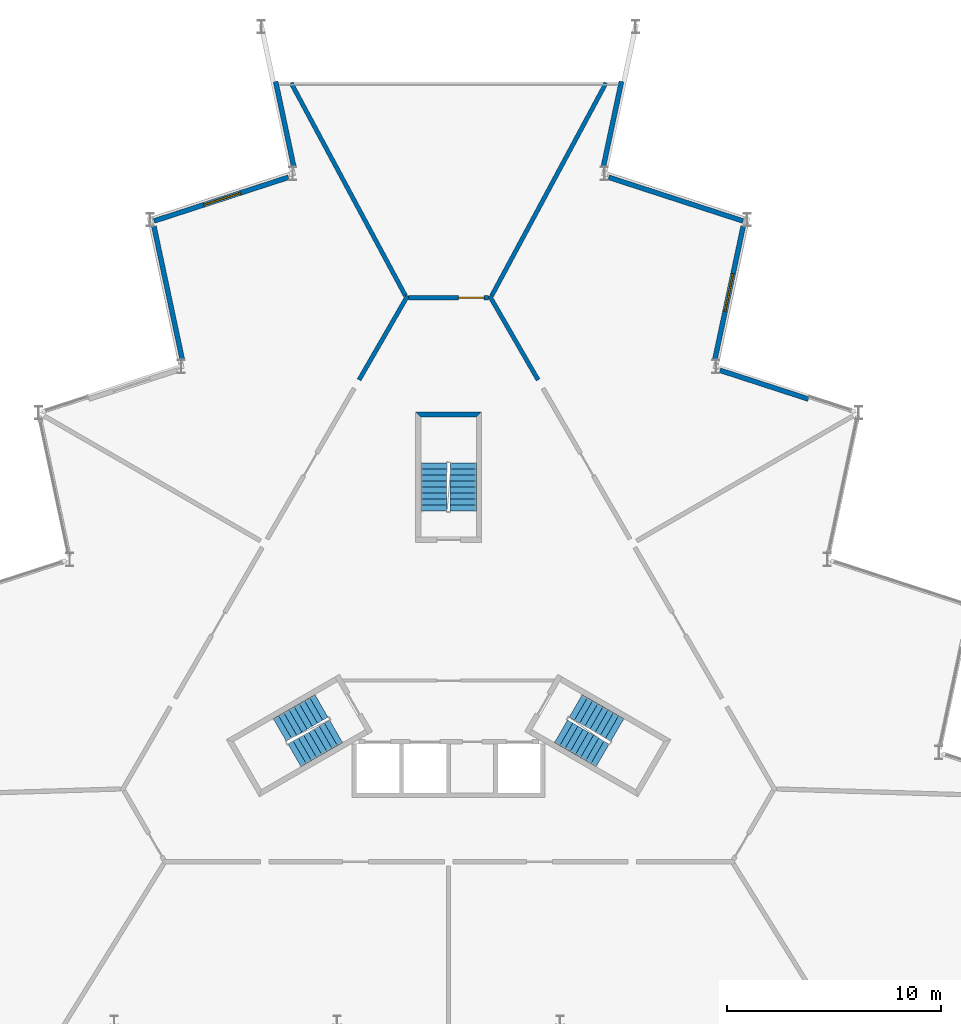
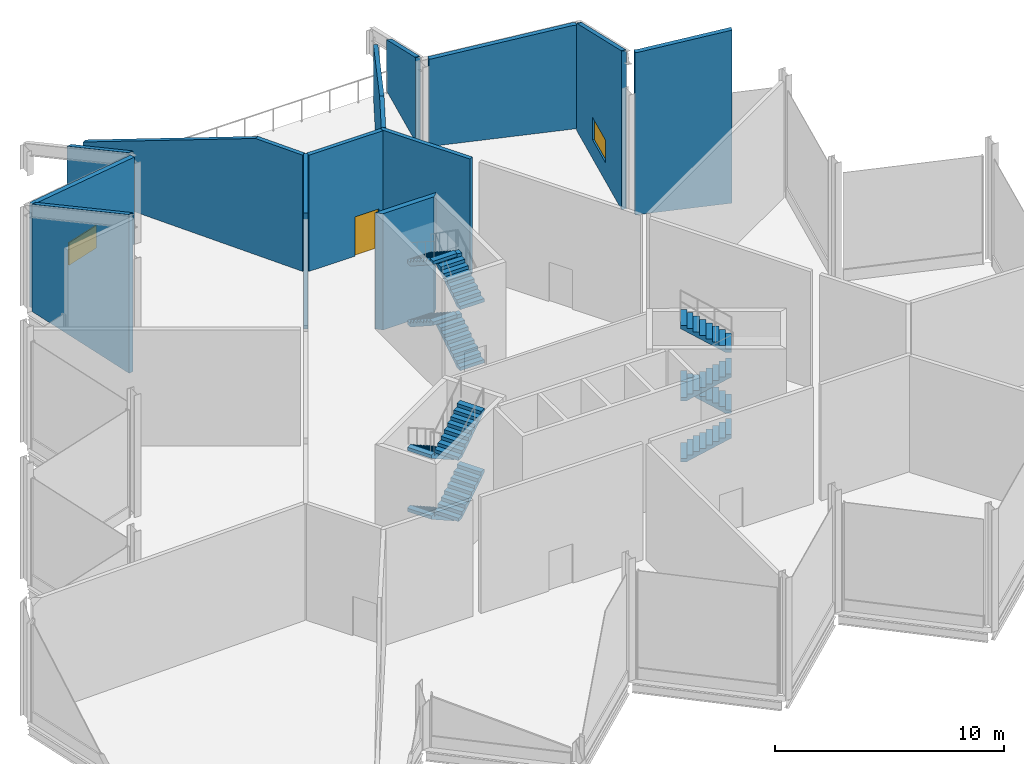
# One storey, part 11 of 12: 13 walls, 12 stair flights, 2 windows, 1 door, 3 openings, 3 elements without a shape of their own.
"""IFC4 building model written with IfcOpenShell, lengths in metres."""

from ifc_helpers import new_model, si_unit, direction, frame, frame_2d, origin, place, context, subcontext, project, spatial, polyline, rectangle, outline, extrude, material, layer, layer_set, type_object, element, fill, aggregate, save


model = new_model("IFC4")

# Units and contexts
model_context = context("Model", 3, precision=1e-05, world=origin(), true_north=direction((0.0, 1.0)))
body_context = subcontext(model_context, "Body", "Model", "MODEL_VIEW")
ifc_project = project(units=[si_unit("LENGTHUNIT", "METRE"), si_unit("AREAUNIT", "SQUARE_METRE"), si_unit("VOLUMEUNIT", "CUBIC_METRE"), si_unit("PLANEANGLEUNIT", "RADIAN"), si_unit("MASSUNIT", "GRAM", prefix="KILO")], contexts=[model_context])

# Site, building, storey
site_placement = place(None, origin())
site = spatial("IfcSite", under=ifc_project, at=site_placement, CompositionType="ELEMENT")
building_placement = place(site_placement, origin())
building = spatial("IfcBuilding", under=site, at=building_placement, Name="Cormorant Prow Tower", CompositionType="ELEMENT")
storey_placement = place(building_placement, frame((0.0, 0.0, 434.699951171875)))
storey = spatial("IfcBuildingStorey", under=building, at=storey_placement, Name="L97", CompositionType="ELEMENT", Elevation=434.699951171875)

# Walls
ifc_material_1 = material(Name="Gypsum board corridor wall")
ifc_layer_1 = layer(ifc_material_1, 0.199951171875)
ifc_layer_set_1 = layer_set([ifc_layer_1], Name="Gypsum board corridor wall")
wall_type_1 = type_object("IfcWallType", Name="Corridor wall 200", PredefinedType="PARTITIONING", material=ifc_layer_set_1)
for number, where, z_axis, x_axis, name in (
    (1, (1.9130859375, 16.497802734375, 0.0), (0.0, 0.0, 1.0), (0.499974648164, -0.866040040179, 0.0), "Corridor wall"),
    (2, (-4.175537109375, 12.578857421875, 0.0), (0.0, 0.0, 1.0), (0.499974648164, 0.866040040179, 0.0), "Corridor wall"),
):
    element("IfcWall", number, at=place(storey_placement, frame(where, z_axis=z_axis, x_axis=x_axis)), inside=storey, type_object=wall_type_1, Name=name, PredefinedType="PARTITIONING", context=body_context, shape_type="SweptSolid", body=[
        extrude(rectangle(XDim=4.525146484375, YDim=0.199951171875, at=frame_2d((2.2626953125, 0.0))), origin(), (0.0, 0.0, 1.0), 6.199951171875),
    ])

# Wall, opening, door
wall_1_placement = place(storey_placement, frame((-1.863037109375, 16.4111328125, 0.0), z_axis=(0.0, 0.0, 1.0), x_axis=(1.0, 0.0, 0.0)))
wall_1 = element("IfcWall", 3, at=wall_1_placement, inside=storey, type_object=wall_type_1, Name="Corridor wall", PredefinedType="PARTITIONING", context=body_context, shape_type="SweptSolid", body=[
    extrude(rectangle(XDim=3.72607421875, YDim=0.199951171875, at=frame_2d((1.863037109375, 0.0))), origin(), (0.0, 0.0, 1.0), 6.199951171875),
])
opening_1_placement = place(wall_1_placement, frame((2.324951171875, 0.0, 0.0)))
opening_1 = element("IfcOpeningElement", 4, at=opening_1_placement, cuts=wall_1, Name="Opening L97-F09", PredefinedType="OPENING", context=body_context, shape_type="SweptSolid", body=[
    extrude(rectangle(XDim=1.199951171875, YDim=2.10009765625, at=frame_2d((0.60009765625, 1.050048828125))), frame((0.0, 0.10986328125, 0.0), z_axis=(0.0, -1.0, 0.0), x_axis=(1.0, 0.0, 0.0)), (0.0, 0.0, 1.0), 0.219970703125),
])
ifc_material_2 = material(Name="Timber door leaf", Category="wood")
door_type = type_object("IfcDoorType", Name="Plant room door 1200x2100", OperationType="NOTDEFINED", PredefinedType="DOOR", material=ifc_material_2)
door_placement = place(opening_1_placement, origin())
door = element("IfcDoor", 5, at=door_placement, inside=storey, type_object=door_type, Name="Electrical switch room door", OperationType="SINGLE_SWING_RIGHT", OverallHeight=2.10009765625, OverallWidth=1.199951171875, PredefinedType="DOOR", context=body_context, shape_type="SweptSolid", body=[
    extrude(rectangle(XDim=1.199951171875, YDim=2.10009765625, at=frame_2d((0.60009765625, 1.050048828125))), frame((0.0, 0.02490234375, 0.0), z_axis=(0.0, -1.0, 0.0), x_axis=(1.0, 0.0, 0.0)), (0.0, 0.0, 1.0), 0.050048828125),
])
fill(opening_1, door)

# Walls
ifc_material_3 = material(Name="Gypsum board demising wall")
ifc_layer_2 = layer(ifc_material_3, 0.199951171875)
ifc_layer_set_2 = layer_set([ifc_layer_2], Name="Gypsum board demising wall")
wall_type_2 = type_object("IfcWallType", Name="Demising wall 200", PredefinedType="PARTITIONING", material=ifc_layer_set_2)
wall_2_placement = place(storey_placement, frame((-7.344482421875, 26.426025390625, 0.0), z_axis=(0.0, 0.0, 1.0), x_axis=(0.473320618722, -0.880890226925, 0.0)))
element("IfcWall", 6, at=wall_2_placement, inside=storey, type_object=wall_type_2, Name="Demising wall", PredefinedType="PARTITIONING", context=body_context, shape_type="SweptSolid", body=[
    extrude(outline(polyline([(0.0, 0.0), (11.269287109375, 0.0), (11.269287109375, 6.199951171875), (8.849853515625, 6.199951171875), (0.0, 2.748779296875), (0.0, 0.0)])), frame((0.0, 0.10009765625, 0.0), z_axis=(0.0, -1.0, 0.0), x_axis=(1.0, 0.0, 0.0)), (0.0, 0.0, 1.0), 0.199951171875),
])
wall_3_placement = place(storey_placement, frame((2.010498046875, 16.4990234375, 0.0), z_axis=(0.0, 0.0, 1.0), x_axis=(0.473320618722, 0.880890226925, 0.0)))
element("IfcWall", 7, at=wall_3_placement, inside=storey, type_object=wall_type_2, Name="Demising wall", PredefinedType="PARTITIONING", context=body_context, shape_type="SweptSolid", body=[
    extrude(outline(polyline([(0.0, 0.0), (11.269287109375, 0.0), (11.269287109375, 2.748779296875), (2.41943359375, 6.199951171875), (0.0, 6.199951171875), (0.0, 0.0)])), frame((0.0, 0.10009765625, 0.0), z_axis=(0.0, -1.0, 0.0), x_axis=(1.0, 0.0, 0.0)), (0.0, 0.0, 1.0), 0.199951171875),
])
ifc_material_4 = material(Name="Concrete 8000 psi", Category="concrete")
ifc_layer_3 = layer(ifc_material_4, 0.25)
ifc_layer_set_3 = layer_set([ifc_layer_3], Name="Concrete 8000 psi")
wall_type_3 = type_object("IfcWallType", Name="Stair wall 250", PredefinedType="SHEAR", material=ifc_layer_set_3)
wall_4_placement = place(storey_placement, origin())
element("IfcWall", 8, at=wall_4_placement, inside=storey, type_object=wall_type_3, Name="Stair ST3 enclosure wall (end)", PredefinedType="SHEAR", context=body_context, shape_type="SweptSolid", body=[
    extrude(outline(polyline([(1.5439453125, 11.0869140625), (-1.5439453125, 11.0869140625), (-1.2939453125, 10.8369140625), (1.2939453125, 10.8369140625), (1.5439453125, 11.0869140625)])), origin(), (0.0, 0.0, 1.0), 6.199951171875),
])
ifc_material_5 = material(Name="Terracotta", Category="masonry")
ifc_layer_4 = layer(ifc_material_5, 0.22998046875)
ifc_layer_set_4 = layer_set([ifc_layer_4], Name="Terracotta")
wall_type_4 = type_object("IfcWallType", Name="Terracotta crown cladding wall 230", PredefinedType="SOLIDWALL", material=ifc_layer_set_4)
wall_5_placement = place(storey_placement, frame((16.78466796875, 11.6845703125, 0.0), z_axis=(0.0, 0.0, 1.0), x_axis=(-0.951057263684, 0.309014694139, 0.0)))
element("IfcWall", 9, at=wall_5_placement, inside=storey, type_object=wall_type_4, Name="Terracotta raked crown wall ENE05", PredefinedType="SOLIDWALL", context=body_context, shape_type="SweptSolid", body=[
    extrude(outline(polyline([(0.0, 0.0), (4.3310546875, 0.0), (4.3310546875, 8.651611328125), (4.2041015625, 8.651611328125), (0.0, 9.2265625), (0.0, 0.0)])), frame((0.0, 0.114990234375, 0.0), z_axis=(0.0, -1.0, 0.0), x_axis=(1.0, 0.0, 0.0)), (0.0, 0.0, 1.0), 0.22998046875),
])

# Wall, opening, window
wall_6_placement = place(storey_placement, frame((12.42626953125, 13.5361328125, 0.0), z_axis=(0.0, 0.0, 1.0), x_axis=(0.207935522554, 0.978142534838, 0.0)))
wall_6 = element("IfcWall", 10, at=wall_6_placement, inside=storey, type_object=wall_type_4, Name="Terracotta raked crown wall ENE06", PredefinedType="SOLIDWALL", context=body_context, shape_type="SweptSolid", body=[
    extrude(outline(polyline([(0.0, 0.0), (6.35205078125, 0.0), (6.351806640625, 5.729736328125), (6.318359375, 5.729736328125), (0.052978515625, 8.44287109375), (0.0, 8.44287109375), (0.0, 0.0)])), frame((0.0, 0.114990234375, 0.0), z_axis=(0.0, -1.0, 0.0), x_axis=(1.0, 0.0, 0.0)), (0.0, 0.0, 1.0), 0.22998046875),
])
opening_2_placement = place(wall_6_placement, frame((2.28564453125, 0.0, 1.0)))
opening_2 = element("IfcOpeningElement", 11, at=opening_2_placement, cuts=wall_6, Name="Opening WN2", PredefinedType="OPENING", context=body_context, shape_type="SweptSolid", body=[
    extrude(rectangle(XDim=1.800048828125, YDim=1.199951171875, at=frame_2d((0.89990234375, 0.60009765625))), frame((0.0, 0.125, 0.0), z_axis=(0.0, -1.0, 0.0), x_axis=(1.0, 0.0, 0.0)), (0.0, 0.0, 1.0), 0.25),
])
ifc_material_6 = material(Name="Aluminium 6063-T6", Category="aluminium")
window_type = type_object("IfcWindowType", Name="Crown skylight 1800x1200", PartitioningType="SINGLE_PANEL", PredefinedType="SKYLIGHT", material=ifc_material_6)
window_1_placement = place(opening_2_placement, origin())
window_1 = element("IfcWindow", 12, at=window_1_placement, inside=storey, type_object=window_type, Name="Crown skylight ENE06", OverallHeight=1.199951171875, OverallWidth=1.800048828125, PartitioningType="SINGLE_PANEL", PredefinedType="SKYLIGHT", context=body_context, shape_type="SweptSolid", body=[
    extrude(rectangle(XDim=1.800048828125, YDim=1.199951171875, at=frame_2d((0.89990234375, 0.60009765625))), frame((0.0, 0.030029296875, 0.0), z_axis=(0.0, -1.0, 0.0), x_axis=(1.0, 0.0, 0.0)), (0.0, 0.0, 1.0), 0.06005859375),
])
fill(opening_2, window_1)

# Walls
wall_7_placement = place(storey_placement, frame((13.737060546875, 19.991943359375, 0.0), z_axis=(0.0, 0.0, 1.0), x_axis=(-0.951062360909, 0.308999005923, 0.0)))
element("IfcWall", 13, at=wall_7_placement, inside=storey, type_object=wall_type_4, Name="Terracotta raked crown wall ENE07", PredefinedType="SOLIDWALL", context=body_context, shape_type="SweptSolid", body=[
    extrude(outline(polyline([(0.0, 0.0), (6.59423828125, 0.0), (6.59423828125, 4.6640625), (6.467041015625, 4.6640625), (0.201904296875, 5.521240234375), (0.0, 5.521240234375), (0.0, 0.0)])), frame((0.0, 0.114990234375, 0.0), z_axis=(0.0, -1.0, 0.0), x_axis=(1.0, 0.0, 0.0)), (0.0, 0.0, 1.0), 0.22998046875),
])
wall_8_placement = place(storey_placement, frame((7.226318359375, 22.54296875, 0.0), z_axis=(0.0, 0.0, 1.0), x_axis=(0.20790494946, 0.978149033629, 0.0)))
element("IfcWall", 14, at=wall_8_placement, inside=storey, type_object=wall_type_4, Name="Terracotta raked crown wall ENE08", PredefinedType="SOLIDWALL", context=body_context, shape_type="SweptSolid", body=[
    extrude(outline(polyline([(0.0, 0.0), (4.04541015625, 0.0), (4.04541015625, 2.7265625), (0.052978515625, 4.45556640625), (0.0, 4.45556640625), (0.0, 0.0)])), frame((0.0, 0.114990234375, 0.0), z_axis=(0.0, -1.0, 0.0), x_axis=(1.0, 0.0, 0.0)), (0.0, 0.0, 1.0), 0.22998046875),
])
wall_9_placement = place(storey_placement, frame((-8.0673828125, 26.5, 0.0), z_axis=(0.0, 0.0, 1.0), x_axis=(0.20790494946, -0.978149033629, 0.0)))
element("IfcWall", 15, at=wall_9_placement, inside=storey, type_object=wall_type_4, Name="Terracotta raked crown wall WNW01", PredefinedType="SOLIDWALL", context=body_context, shape_type="SweptSolid", body=[
    extrude(outline(polyline([(0.0, 0.0), (4.04541015625, 0.0), (4.04541015625, 4.45556640625), (3.992431640625, 4.45556640625), (0.0, 2.7265625), (0.0, 0.0)])), frame((0.0, 0.114990234375, 0.0), z_axis=(0.0, -1.0, 0.0), x_axis=(1.0, 0.0, 0.0)), (0.0, 0.0, 1.0), 0.22998046875),
])

# Wall, opening, window
wall_10_placement = place(storey_placement, frame((-7.465576171875, 22.029541015625, 0.0), z_axis=(0.0, 0.0, 1.0), x_axis=(-0.951062360909, -0.308999005923, 0.0)))
wall_10 = element("IfcWall", 16, at=wall_10_placement, inside=storey, type_object=wall_type_4, Name="Terracotta raked crown wall WNW02", PredefinedType="SOLIDWALL", context=body_context, shape_type="SweptSolid", body=[
    extrude(outline(polyline([(0.0, 0.0), (6.59423828125, 0.0), (6.59423828125, 5.521240234375), (6.392333984375, 5.521240234375), (0.127197265625, 4.6640625), (0.0, 4.6640625), (0.0, 0.0)])), frame((0.0, 0.114990234375, 0.0), z_axis=(0.0, -1.0, 0.0), x_axis=(1.0, 0.0, 0.0)), (0.0, 0.0, 1.0), 0.22998046875),
])
opening_3_placement = place(wall_10_placement, frame((2.359619140625, 0.0, 1.0)))
opening_3 = element("IfcOpeningElement", 17, at=opening_3_placement, cuts=wall_10, Name="Opening WN2", PredefinedType="OPENING", context=body_context, shape_type="SweptSolid", body=[
    extrude(rectangle(XDim=1.800048828125, YDim=1.199951171875, at=frame_2d((0.89990234375, 0.60009765625))), frame((0.0, 0.125, 0.0), z_axis=(0.0, -1.0, 0.0), x_axis=(1.0, 0.0, 0.0)), (0.0, 0.0, 1.0), 0.25),
])
window_2_placement = place(opening_3_placement, origin())
window_2 = element("IfcWindow", 18, at=window_2_placement, inside=storey, type_object=window_type, Name="Crown skylight WNW02", OverallHeight=1.199951171875, OverallWidth=1.800048828125, PartitioningType="SINGLE_PANEL", PredefinedType="SKYLIGHT", context=body_context, shape_type="SweptSolid", body=[
    extrude(rectangle(XDim=1.800048828125, YDim=1.199951171875, at=frame_2d((0.89990234375, 0.60009765625))), frame((0.0, 0.030029296875, 0.0), z_axis=(0.0, -1.0, 0.0), x_axis=(1.0, 0.0, 0.0)), (0.0, 0.0, 1.0), 0.06005859375),
])
fill(opening_3, window_2)

# Wall
wall_11_placement = place(storey_placement, frame((-13.7470703125, 19.749267578125, 0.0), z_axis=(0.0, 0.0, 1.0), x_axis=(0.207935522554, -0.978142534838, 0.0)))
element("IfcWall", 19, at=wall_11_placement, inside=storey, type_object=wall_type_4, Name="Terracotta raked crown wall WNW03", PredefinedType="SOLIDWALL", context=body_context, shape_type="SweptSolid", body=[
    extrude(outline(polyline([(0.0, 0.0), (6.35205078125, 0.0), (6.351806640625, 8.44287109375), (6.298828125, 8.44287109375), (0.033447265625, 5.729736328125), (0.0, 5.729736328125), (0.0, 0.0)])), frame((0.0, 0.114990234375, 0.0), z_axis=(0.0, -1.0, 0.0), x_axis=(1.0, 0.0, 0.0)), (0.0, 0.0, 1.0), 0.22998046875),
])

# Stair, stair flights
ifc_material_7 = material(Name="Exit stair 36 risers")
stair_type = type_object("IfcStairType", Name="Exit stair 36 risers", PredefinedType="HALF_TURN_STAIR", material=ifc_material_7)
stair_1_placement = place(storey_placement, origin())
stair_1 = element("IfcStair", 20, at=stair_1_placement, inside=storey, type_object=stair_type, Name="L97 Exit stair ST1", PredefinedType="HALF_TURN_STAIR")
ifc_material_8 = material(Name="Concrete 5000 psi", Category="concrete")
stair_flight_type = type_object("IfcStairFlightType", Name="Stair flight 1219", PredefinedType="STRAIGHT", material=ifc_material_8)
stair_flight_1_placement = place(storey_placement, frame((-5.93310546875, -2.635009765625, 0.0), z_axis=(0.0, 0.0, 1.0), x_axis=(-0.866025403784, -0.5, 0.0)))
stair_flight_1 = element("IfcStairFlight", 21, at=stair_flight_1_placement, type_object=stair_flight_type, Name="ST1 flight 1", NumberOfRisers=9, NumberOfTreads=8, PredefinedType="STRAIGHT", RiserHeight=0.180555556, TreadLength=0.28, context=body_context, shape_type="SweptSolid", body=[
    extrude(outline(polyline([(0.0, 0.0), (0.0, 0.1806640625), (0.280029296875, 0.1806640625), (0.280029296875, 0.361083984375), (0.56005859375, 0.361083984375), (0.56005859375, 0.541748046875), (0.840087890625, 0.541748046875), (0.840087890625, 0.72216796875), (1.1201171875, 0.72216796875), (1.1201171875, 0.90283203125), (1.39990234375, 0.90283203125), (1.39990234375, 1.083251953125), (1.679931640625, 1.083251953125), (1.679931640625, 1.263916015625), (1.9599609375, 1.263916015625), (1.9599609375, 1.4443359375), (2.239990234375, 1.4443359375), (2.239990234375, 1.625), (2.239990234375, 1.26611328125), (0.276611328125, 0.0), (0.0, 0.0)])), frame((0.0, 0.609375, 0.0), z_axis=(0.0, -1.0, 0.0), x_axis=(1.0, 0.0, 0.0)), (0.0, 0.0, 1.0), 1.218994140625),
])
stair_flight_2_placement = place(storey_placement, frame((-7.1884765625, -4.940673828125, 1.625), z_axis=(0.0, 0.0, 1.0), x_axis=(0.866025403784, 0.5, 0.0)))
stair_flight_2 = element("IfcStairFlight", 22, at=stair_flight_2_placement, type_object=stair_flight_type, Name="ST1 flight 2", NumberOfRisers=9, NumberOfTreads=8, PredefinedType="STRAIGHT", RiserHeight=0.180555556, TreadLength=0.28, context=body_context, shape_type="SweptSolid", body=[
    extrude(outline(polyline([(0.0, 0.0), (0.0, 0.1806640625), (0.280029296875, 0.1806640625), (0.280029296875, 0.361083984375), (0.56005859375, 0.361083984375), (0.56005859375, 0.541748046875), (0.840087890625, 0.541748046875), (0.840087890625, 0.72216796875), (1.1201171875, 0.72216796875), (1.1201171875, 0.90283203125), (1.39990234375, 0.90283203125), (1.39990234375, 1.083251953125), (1.679931640625, 1.083251953125), (1.679931640625, 1.263916015625), (1.9599609375, 1.263916015625), (1.9599609375, 1.4443359375), (2.239990234375, 1.4443359375), (2.239990234375, 1.625), (2.239990234375, 1.26611328125), (0.276611328125, 0.0), (0.0, 0.0)])), frame((0.0, 0.609375, 0.0), z_axis=(0.0, -1.0, 0.0), x_axis=(1.0, 0.0, 0.0)), (0.0, 0.0, 1.0), 1.218994140625),
])
stair_flight_3_placement = place(storey_placement, frame((-5.93310546875, -2.635009765625, 3.25), z_axis=(0.0, 0.0, 1.0), x_axis=(-0.866025403784, -0.5, 0.0)))
stair_flight_3 = element("IfcStairFlight", 23, at=stair_flight_3_placement, type_object=stair_flight_type, Name="ST1 flight 3", NumberOfRisers=9, NumberOfTreads=8, PredefinedType="STRAIGHT", RiserHeight=0.180555556, TreadLength=0.28, context=body_context, shape_type="SweptSolid", body=[
    extrude(outline(polyline([(0.0, 0.0), (0.0, 0.1806640625), (0.280029296875, 0.1806640625), (0.280029296875, 0.361083984375), (0.56005859375, 0.361083984375), (0.56005859375, 0.541748046875), (0.840087890625, 0.541748046875), (0.840087890625, 0.72216796875), (1.1201171875, 0.72216796875), (1.1201171875, 0.90283203125), (1.39990234375, 0.90283203125), (1.39990234375, 1.083251953125), (1.679931640625, 1.083251953125), (1.679931640625, 1.263916015625), (1.9599609375, 1.263916015625), (1.9599609375, 1.4443359375), (2.239990234375, 1.4443359375), (2.239990234375, 1.625), (2.239990234375, 1.26611328125), (0.276611328125, 0.0), (0.0, 0.0)])), frame((0.0, 0.609375, 0.0), z_axis=(0.0, -1.0, 0.0), x_axis=(1.0, 0.0, 0.0)), (0.0, 0.0, 1.0), 1.218994140625),
])
stair_flight_4_placement = place(storey_placement, frame((-7.1884765625, -4.940673828125, 4.875), z_axis=(0.0, 0.0, 1.0), x_axis=(0.866025403784, 0.5, 0.0)))
stair_flight_4 = element("IfcStairFlight", 24, at=stair_flight_4_placement, type_object=stair_flight_type, Name="ST1 flight 4", NumberOfRisers=9, NumberOfTreads=8, PredefinedType="STRAIGHT", RiserHeight=0.180555556, TreadLength=0.28, context=body_context, shape_type="SweptSolid", body=[
    extrude(outline(polyline([(0.0, 0.0), (0.0, 0.1806640625), (0.280029296875, 0.1806640625), (0.280029296875, 0.361083984375), (0.56005859375, 0.361083984375), (0.56005859375, 0.541748046875), (0.840087890625, 0.541748046875), (0.840087890625, 0.72216796875), (1.1201171875, 0.72216796875), (1.1201171875, 0.90283203125), (1.39990234375, 0.90283203125), (1.39990234375, 1.083251953125), (1.679931640625, 1.083251953125), (1.679931640625, 1.263916015625), (1.9599609375, 1.263916015625), (1.9599609375, 1.4443359375), (2.239990234375, 1.4443359375), (2.239990234375, 1.625), (2.239990234375, 1.26611328125), (0.276611328125, 0.0), (0.0, 0.0)])), frame((0.0, 0.609375, 0.0), z_axis=(0.0, -1.0, 0.0), x_axis=(1.0, 0.0, 0.0)), (0.0, 0.0, 1.0), 1.218994140625),
])
aggregate(stair_1, [stair_flight_1, stair_flight_2, stair_flight_3, stair_flight_4])

stair_2_placement = place(storey_placement, origin())
stair_2 = element("IfcStair", 25, at=stair_2_placement, inside=storey, type_object=stair_type, Name="L97 Exit stair ST2", PredefinedType="HALF_TURN_STAIR")
stair_flight_5_placement = place(storey_placement, frame((5.24853515625, -3.82080078125, 0.0), z_axis=(0.0, 0.0, 1.0), x_axis=(0.866025403784, -0.5, 0.0)))
stair_flight_5 = element("IfcStairFlight", 26, at=stair_flight_5_placement, type_object=stair_flight_type, Name="ST2 flight 1", NumberOfRisers=9, NumberOfTreads=8, PredefinedType="STRAIGHT", RiserHeight=0.180555556, TreadLength=0.28, context=body_context, shape_type="SweptSolid", body=[
    extrude(outline(polyline([(0.0, 0.0), (0.0, 0.1806640625), (0.280029296875, 0.1806640625), (0.280029296875, 0.361083984375), (0.56005859375, 0.361083984375), (0.56005859375, 0.541748046875), (0.840087890625, 0.541748046875), (0.840087890625, 0.72216796875), (1.1201171875, 0.72216796875), (1.1201171875, 0.90283203125), (1.39990234375, 0.90283203125), (1.39990234375, 1.083251953125), (1.679931640625, 1.083251953125), (1.679931640625, 1.263916015625), (1.9599609375, 1.263916015625), (1.9599609375, 1.4443359375), (2.239990234375, 1.4443359375), (2.239990234375, 1.625), (2.239990234375, 1.26611328125), (0.276611328125, 0.0), (0.0, 0.0)])), frame((0.0, 0.609375, 0.0), z_axis=(0.0, -1.0, 0.0), x_axis=(1.0, 0.0, 0.0)), (0.0, 0.0, 1.0), 1.218994140625),
])
stair_flight_6_placement = place(storey_placement, frame((7.873046875, -3.755126953125, 1.625), z_axis=(0.0, 0.0, 1.0), x_axis=(-0.866025403784, 0.5, 0.0)))
stair_flight_6 = element("IfcStairFlight", 27, at=stair_flight_6_placement, type_object=stair_flight_type, Name="ST2 flight 2", NumberOfRisers=9, NumberOfTreads=8, PredefinedType="STRAIGHT", RiserHeight=0.180555556, TreadLength=0.28, context=body_context, shape_type="SweptSolid", body=[
    extrude(outline(polyline([(0.0, 0.0), (0.0, 0.1806640625), (0.280029296875, 0.1806640625), (0.280029296875, 0.361083984375), (0.56005859375, 0.361083984375), (0.56005859375, 0.541748046875), (0.840087890625, 0.541748046875), (0.840087890625, 0.72216796875), (1.1201171875, 0.72216796875), (1.1201171875, 0.90283203125), (1.39990234375, 0.90283203125), (1.39990234375, 1.083251953125), (1.679931640625, 1.083251953125), (1.679931640625, 1.263916015625), (1.9599609375, 1.263916015625), (1.9599609375, 1.4443359375), (2.239990234375, 1.4443359375), (2.239990234375, 1.625), (2.239990234375, 1.26611328125), (0.276611328125, 0.0), (0.0, 0.0)])), frame((0.0, 0.609375, 0.0), z_axis=(0.0, -1.0, 0.0), x_axis=(1.0, 0.0, 0.0)), (0.0, 0.0, 1.0), 1.218994140625),
])
stair_flight_7_placement = place(storey_placement, frame((5.24853515625, -3.82080078125, 3.25), z_axis=(0.0, 0.0, 1.0), x_axis=(0.866025403784, -0.5, 0.0)))
stair_flight_7 = element("IfcStairFlight", 28, at=stair_flight_7_placement, type_object=stair_flight_type, Name="ST2 flight 3", NumberOfRisers=9, NumberOfTreads=8, PredefinedType="STRAIGHT", RiserHeight=0.180555556, TreadLength=0.28, context=body_context, shape_type="SweptSolid", body=[
    extrude(outline(polyline([(0.0, 0.0), (0.0, 0.1806640625), (0.280029296875, 0.1806640625), (0.280029296875, 0.361083984375), (0.56005859375, 0.361083984375), (0.56005859375, 0.541748046875), (0.840087890625, 0.541748046875), (0.840087890625, 0.72216796875), (1.1201171875, 0.72216796875), (1.1201171875, 0.90283203125), (1.39990234375, 0.90283203125), (1.39990234375, 1.083251953125), (1.679931640625, 1.083251953125), (1.679931640625, 1.263916015625), (1.9599609375, 1.263916015625), (1.9599609375, 1.4443359375), (2.239990234375, 1.4443359375), (2.239990234375, 1.625), (2.239990234375, 1.26611328125), (0.276611328125, 0.0), (0.0, 0.0)])), frame((0.0, 0.609375, 0.0), z_axis=(0.0, -1.0, 0.0), x_axis=(1.0, 0.0, 0.0)), (0.0, 0.0, 1.0), 1.218994140625),
])
stair_flight_8_placement = place(storey_placement, frame((7.873046875, -3.755126953125, 4.875), z_axis=(0.0, 0.0, 1.0), x_axis=(-0.866025403784, 0.5, 0.0)))
stair_flight_8 = element("IfcStairFlight", 29, at=stair_flight_8_placement, type_object=stair_flight_type, Name="ST2 flight 4", NumberOfRisers=9, NumberOfTreads=8, PredefinedType="STRAIGHT", RiserHeight=0.180555556, TreadLength=0.28, context=body_context, shape_type="SweptSolid", body=[
    extrude(outline(polyline([(0.0, 0.0), (0.0, 0.1806640625), (0.280029296875, 0.1806640625), (0.280029296875, 0.361083984375), (0.56005859375, 0.361083984375), (0.56005859375, 0.541748046875), (0.840087890625, 0.541748046875), (0.840087890625, 0.72216796875), (1.1201171875, 0.72216796875), (1.1201171875, 0.90283203125), (1.39990234375, 0.90283203125), (1.39990234375, 1.083251953125), (1.679931640625, 1.083251953125), (1.679931640625, 1.263916015625), (1.9599609375, 1.263916015625), (1.9599609375, 1.4443359375), (2.239990234375, 1.4443359375), (2.239990234375, 1.625), (2.239990234375, 1.26611328125), (0.276611328125, 0.0), (0.0, 0.0)])), frame((0.0, 0.609375, 0.0), z_axis=(0.0, -1.0, 0.0), x_axis=(1.0, 0.0, 0.0)), (0.0, 0.0, 1.0), 1.218994140625),
])
aggregate(stair_2, [stair_flight_5, stair_flight_6, stair_flight_7, stair_flight_8])

stair_3_placement = place(storey_placement, origin())
stair_3 = element("IfcStair", 30, at=stair_3_placement, inside=storey, type_object=stair_type, Name="L97 Exit stair ST3", PredefinedType="HALF_TURN_STAIR")
stair_flight_9_placement = place(storey_placement, frame((0.6845703125, 6.455810546875, 0.0), z_axis=(0.0, 0.0, 1.0), x_axis=(0.0, 1.0, 0.0)))
stair_flight_9 = element("IfcStairFlight", 31, at=stair_flight_9_placement, type_object=stair_flight_type, Name="ST3 flight 1", NumberOfRisers=9, NumberOfTreads=8, PredefinedType="STRAIGHT", RiserHeight=0.180555556, TreadLength=0.28, context=body_context, shape_type="SweptSolid", body=[
    extrude(outline(polyline([(0.0, 0.0), (0.0, 0.1806640625), (0.280029296875, 0.1806640625), (0.280029296875, 0.361083984375), (0.56005859375, 0.361083984375), (0.56005859375, 0.541748046875), (0.840087890625, 0.541748046875), (0.840087890625, 0.72216796875), (1.1201171875, 0.72216796875), (1.1201171875, 0.90283203125), (1.39990234375, 0.90283203125), (1.39990234375, 1.083251953125), (1.679931640625, 1.083251953125), (1.679931640625, 1.263916015625), (1.9599609375, 1.263916015625), (1.9599609375, 1.4443359375), (2.239990234375, 1.4443359375), (2.239990234375, 1.625), (2.239990234375, 1.26611328125), (0.276611328125, 0.0), (0.0, 0.0)])), frame((0.0, 0.609375, 0.0), z_axis=(0.0, -1.0, 0.0), x_axis=(1.0, 0.0, 0.0)), (0.0, 0.0, 1.0), 1.218994140625),
])
stair_flight_10_placement = place(storey_placement, frame((-0.6845703125, 8.69580078125, 1.625), z_axis=(0.0, 0.0, 1.0), x_axis=(0.0, -1.0, 0.0)))
stair_flight_10 = element("IfcStairFlight", 32, at=stair_flight_10_placement, type_object=stair_flight_type, Name="ST3 flight 2", NumberOfRisers=9, NumberOfTreads=8, PredefinedType="STRAIGHT", RiserHeight=0.180555556, TreadLength=0.28, context=body_context, shape_type="SweptSolid", body=[
    extrude(outline(polyline([(0.0, 0.0), (0.0, 0.1806640625), (0.280029296875, 0.1806640625), (0.280029296875, 0.361083984375), (0.56005859375, 0.361083984375), (0.56005859375, 0.541748046875), (0.840087890625, 0.541748046875), (0.840087890625, 0.72216796875), (1.1201171875, 0.72216796875), (1.1201171875, 0.90283203125), (1.39990234375, 0.90283203125), (1.39990234375, 1.083251953125), (1.679931640625, 1.083251953125), (1.679931640625, 1.263916015625), (1.9599609375, 1.263916015625), (1.9599609375, 1.4443359375), (2.239990234375, 1.4443359375), (2.239990234375, 1.625), (2.239990234375, 1.26611328125), (0.276611328125, 0.0), (0.0, 0.0)])), frame((0.0, 0.609375, 0.0), z_axis=(0.0, -1.0, 0.0), x_axis=(1.0, 0.0, 0.0)), (0.0, 0.0, 1.0), 1.218994140625),
])
stair_flight_11_placement = place(storey_placement, frame((0.6845703125, 6.455810546875, 3.25), z_axis=(0.0, 0.0, 1.0), x_axis=(0.0, 1.0, 0.0)))
stair_flight_11 = element("IfcStairFlight", 33, at=stair_flight_11_placement, type_object=stair_flight_type, Name="ST3 flight 3", NumberOfRisers=9, NumberOfTreads=8, PredefinedType="STRAIGHT", RiserHeight=0.180555556, TreadLength=0.28, context=body_context, shape_type="SweptSolid", body=[
    extrude(outline(polyline([(0.0, 0.0), (0.0, 0.1806640625), (0.280029296875, 0.1806640625), (0.280029296875, 0.361083984375), (0.56005859375, 0.361083984375), (0.56005859375, 0.541748046875), (0.840087890625, 0.541748046875), (0.840087890625, 0.72216796875), (1.1201171875, 0.72216796875), (1.1201171875, 0.90283203125), (1.39990234375, 0.90283203125), (1.39990234375, 1.083251953125), (1.679931640625, 1.083251953125), (1.679931640625, 1.263916015625), (1.9599609375, 1.263916015625), (1.9599609375, 1.4443359375), (2.239990234375, 1.4443359375), (2.239990234375, 1.625), (2.239990234375, 1.26611328125), (0.276611328125, 0.0), (0.0, 0.0)])), frame((0.0, 0.609375, 0.0), z_axis=(0.0, -1.0, 0.0), x_axis=(1.0, 0.0, 0.0)), (0.0, 0.0, 1.0), 1.218994140625),
])
stair_flight_12_placement = place(storey_placement, frame((-0.6845703125, 8.69580078125, 4.875), z_axis=(0.0, 0.0, 1.0), x_axis=(0.0, -1.0, 0.0)))
stair_flight_12 = element("IfcStairFlight", 34, at=stair_flight_12_placement, type_object=stair_flight_type, Name="ST3 flight 4", NumberOfRisers=9, NumberOfTreads=8, PredefinedType="STRAIGHT", RiserHeight=0.180555556, TreadLength=0.28, context=body_context, shape_type="SweptSolid", body=[
    extrude(outline(polyline([(0.0, 0.0), (0.0, 0.1806640625), (0.280029296875, 0.1806640625), (0.280029296875, 0.361083984375), (0.56005859375, 0.361083984375), (0.56005859375, 0.541748046875), (0.840087890625, 0.541748046875), (0.840087890625, 0.72216796875), (1.1201171875, 0.72216796875), (1.1201171875, 0.90283203125), (1.39990234375, 0.90283203125), (1.39990234375, 1.083251953125), (1.679931640625, 1.083251953125), (1.679931640625, 1.263916015625), (1.9599609375, 1.263916015625), (1.9599609375, 1.4443359375), (2.239990234375, 1.4443359375), (2.239990234375, 1.625), (2.239990234375, 1.26611328125), (0.276611328125, 0.0), (0.0, 0.0)])), frame((0.0, 0.609375, 0.0), z_axis=(0.0, -1.0, 0.0), x_axis=(1.0, 0.0, 0.0)), (0.0, 0.0, 1.0), 1.218994140625),
])
aggregate(stair_3, [stair_flight_9, stair_flight_10, stair_flight_11, stair_flight_12])

save(model, "model.ifc")
